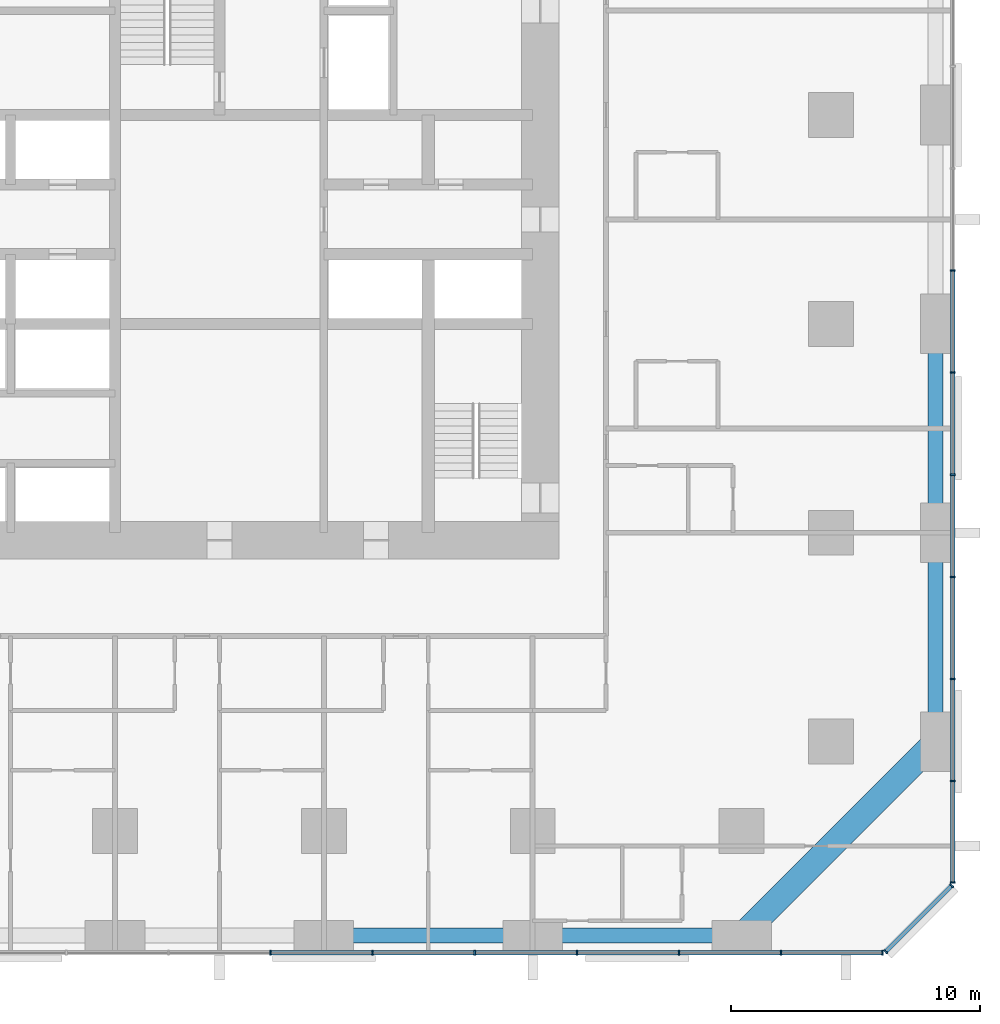
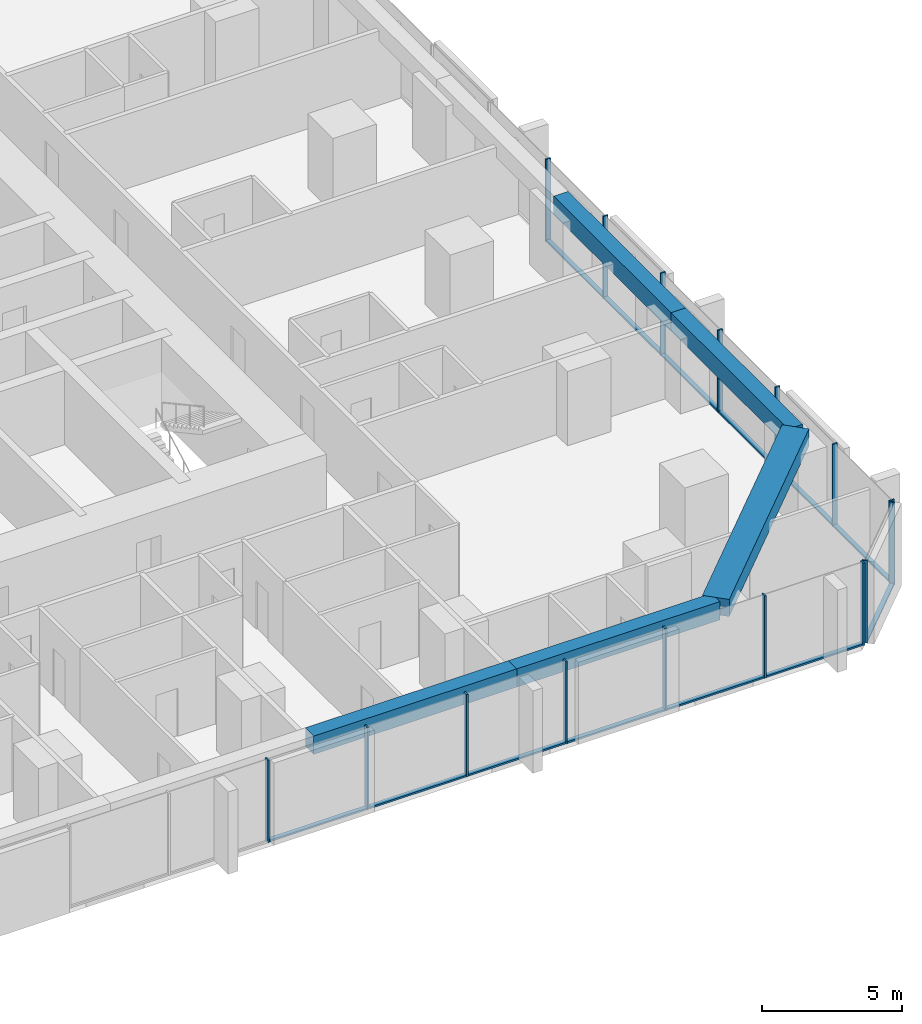
# One storey, part 4 of 17: 29 members, 5 beams, 3 elements without a shape of their own.
"""IFC4 building model written with IfcOpenShell, lengths in metres."""

from ifc_helpers import new_model, si_unit, direction, frame, origin, origin_2d, place, context, subcontext, project, spatial, rectangle, extrude, material, material_profile, profile_set, type_object, element, aggregate, save


model = new_model("IFC4")

# Units and contexts
model_context = context("Model", 3, precision=1e-05, world=origin(), true_north=direction((0.0, 1.0)))
body_context = subcontext(model_context, "Body", "Model", "MODEL_VIEW")
ifc_project = project(units=[si_unit("LENGTHUNIT", "METRE"), si_unit("AREAUNIT", "SQUARE_METRE"), si_unit("VOLUMEUNIT", "CUBIC_METRE"), si_unit("PLANEANGLEUNIT", "RADIAN"), si_unit("MASSUNIT", "GRAM", prefix="KILO")], contexts=[model_context])

# Site, building, storey
site_placement = place(None, origin())
site = spatial("IfcSite", under=ifc_project, at=site_placement, CompositionType="ELEMENT")
building_placement = place(site_placement, origin())
building = spatial("IfcBuilding", under=site, at=building_placement, Name="Dunama Terrace Hotel", CompositionType="ELEMENT")
storey_placement = place(building_placement, frame((0.0, 0.0, 52.199951171875)))
storey = spatial("IfcBuildingStorey", under=building, at=storey_placement, Name="L12", CompositionType="ELEMENT", Elevation=52.199951171875)

# Curtain wall, members
ifc_material_1 = material(Name="Aluminium curtain wall system", Category="aluminium")
curtain_wall_type = type_object("IfcCurtainWallType", Name="Unitised fritted glass wall CW-A", PredefinedType="NOTDEFINED", material=ifc_material_1)
curtain_wall_1_placement = place(storey_placement, origin())
curtain_wall_1 = element("IfcCurtainWall", 1, at=curtain_wall_1_placement, inside=storey, type_object=curtain_wall_type, Name="Unitised fritted glass wall CW-A L12", PredefinedType="NOTDEFINED")
ifc_material_2 = material(Name="Aluminium mullion", Category="aluminium")
ifc_material_profile_1 = material_profile(ifc_material_2, rectangle(XDim=0.06494140625, YDim=0.199951171875, at=origin_2d()), Name="CWA MULLION 65X200")
ifc_profile_set_1 = profile_set([ifc_material_profile_1], Name="Aluminium mullion")
member_type_1 = type_object("IfcMemberType", Name="CWA mullion 65x200", PredefinedType="MULLION", material=ifc_profile_set_1)
member_1_placement = place(storey_placement, frame((31.4541015625, -0.10009765625, 0.0), z_axis=(0.0, 0.0, 1.0), x_axis=(1.0, 0.0, 0.0)))
member_1 = element("IfcMember", 2, at=member_1_placement, type_object=member_type_1, Name="CWA mullion", PredefinedType="MULLION", context=body_context, shape_type="SweptSolid", body=[
    extrude(rectangle(XDim=0.06494140625, YDim=0.199951171875, at=origin_2d()), origin(), (0.0, 0.0, 1.0), 3.60009765625),
])
member_2_placement = place(storey_placement, frame((35.56201171875, -0.10009765625, 0.0), z_axis=(0.0, 0.0, 1.0), x_axis=(1.0, 0.0, 0.0)))
member_2 = element("IfcMember", 3, at=member_2_placement, type_object=member_type_1, Name="CWA mullion", PredefinedType="MULLION", context=body_context, shape_type="SweptSolid", body=[
    extrude(rectangle(XDim=0.06494140625, YDim=0.199951171875, at=origin_2d()), origin(), (0.0, 0.0, 1.0), 3.60009765625),
])
member_3_placement = place(storey_placement, frame((39.6689453125, -0.10009765625, 0.0), z_axis=(0.0, 0.0, 1.0), x_axis=(1.0, 0.0, 0.0)))
member_3 = element("IfcMember", 4, at=member_3_placement, type_object=member_type_1, Name="CWA mullion", PredefinedType="MULLION", context=body_context, shape_type="SweptSolid", body=[
    extrude(rectangle(XDim=0.06494140625, YDim=0.199951171875, at=origin_2d()), origin(), (0.0, 0.0, 1.0), 3.60009765625),
])
member_4_placement = place(storey_placement, frame((43.777099609375, -0.10009765625, 0.0), z_axis=(0.0, 0.0, 1.0), x_axis=(1.0, 0.0, 0.0)))
member_4 = element("IfcMember", 5, at=member_4_placement, type_object=member_type_1, Name="CWA mullion", PredefinedType="MULLION", context=body_context, shape_type="SweptSolid", body=[
    extrude(rectangle(XDim=0.06494140625, YDim=0.199951171875, at=origin_2d()), origin(), (0.0, 0.0, 1.0), 3.60009765625),
])
member_5_placement = place(storey_placement, frame((47.885009765625, -0.10009765625, 0.0), z_axis=(0.0, 0.0, 1.0), x_axis=(1.0, 0.0, 0.0)))
member_5 = element("IfcMember", 6, at=member_5_placement, type_object=member_type_1, Name="CWA mullion", PredefinedType="MULLION", context=body_context, shape_type="SweptSolid", body=[
    extrude(rectangle(XDim=0.06494140625, YDim=0.199951171875, at=origin_2d()), origin(), (0.0, 0.0, 1.0), 3.60009765625),
])
member_6_placement = place(storey_placement, frame((51.991943359375, -0.10009765625, 0.0), z_axis=(0.0, 0.0, 1.0), x_axis=(1.0, 0.0, 0.0)))
member_6 = element("IfcMember", 7, at=member_6_placement, type_object=member_type_1, Name="CWA mullion", PredefinedType="MULLION", context=body_context, shape_type="SweptSolid", body=[
    extrude(rectangle(XDim=0.06494140625, YDim=0.199951171875, at=origin_2d()), origin(), (0.0, 0.0, 1.0), 3.60009765625),
])
member_7_placement = place(storey_placement, frame((56.06689453125, -0.10009765625, 0.0), z_axis=(0.0, 0.0, 1.0), x_axis=(1.0, 0.0, 0.0)))
member_7 = element("IfcMember", 8, at=member_7_placement, type_object=member_type_1, Name="CWA mullion", PredefinedType="MULLION", context=body_context, shape_type="SweptSolid", body=[
    extrude(rectangle(XDim=0.06494140625, YDim=0.199951171875, at=origin_2d()), origin(), (0.0, 0.0, 1.0), 3.60009765625),
])

curtain_wall_2_placement = place(storey_placement, origin())
curtain_wall_2 = element("IfcCurtainWall", 9, at=curtain_wall_2_placement, inside=storey, type_object=curtain_wall_type, Name="Unitised fritted glass wall CW-A L12", PredefinedType="NOTDEFINED")
member_8_placement = place(storey_placement, frame((56.194091796875, -0.048095703125, 0.0), z_axis=(0.0, 0.0, 1.0), x_axis=(0.707106781187, 0.707106781187, 0.0)))
member_8 = element("IfcMember", 10, at=member_8_placement, type_object=member_type_1, Name="CWA mullion", PredefinedType="MULLION", context=body_context, shape_type="SweptSolid", body=[
    extrude(rectangle(XDim=0.06494140625, YDim=0.199951171875, at=origin_2d()), origin(), (0.0, 0.0, 1.0), 3.60009765625),
])
member_9_placement = place(storey_placement, frame((58.847900390625, 2.60595703125, 0.0), z_axis=(0.0, 0.0, 1.0), x_axis=(0.707106781187, 0.707106781187, 0.0)))
member_9 = element("IfcMember", 11, at=member_9_placement, type_object=member_type_1, Name="CWA mullion", PredefinedType="MULLION", context=body_context, shape_type="SweptSolid", body=[
    extrude(rectangle(XDim=0.06494140625, YDim=0.199951171875, at=origin_2d()), origin(), (0.0, 0.0, 1.0), 3.60009765625),
])

curtain_wall_3_placement = place(storey_placement, origin())
curtain_wall_3 = element("IfcCurtainWall", 12, at=curtain_wall_3_placement, inside=storey, type_object=curtain_wall_type, Name="Unitised fritted glass wall CW-A L12", PredefinedType="NOTDEFINED")
member_10_placement = place(storey_placement, frame((58.89990234375, 2.73291015625, 0.0), z_axis=(0.0, 0.0, 1.0), x_axis=(0.0, 1.0, 0.0)))
member_10 = element("IfcMember", 13, at=member_10_placement, type_object=member_type_1, Name="CWA mullion", PredefinedType="MULLION", context=body_context, shape_type="SweptSolid", body=[
    extrude(rectangle(XDim=0.06494140625, YDim=0.199951171875, at=origin_2d()), origin(), (0.0, 0.0, 1.0), 3.60009765625),
])
member_11_placement = place(storey_placement, frame((58.89990234375, 6.80810546875, 0.0), z_axis=(0.0, 0.0, 1.0), x_axis=(0.0, 1.0, 0.0)))
member_11 = element("IfcMember", 14, at=member_11_placement, type_object=member_type_1, Name="CWA mullion", PredefinedType="MULLION", context=body_context, shape_type="SweptSolid", body=[
    extrude(rectangle(XDim=0.06494140625, YDim=0.199951171875, at=origin_2d()), origin(), (0.0, 0.0, 1.0), 3.60009765625),
])
member_12_placement = place(storey_placement, frame((58.89990234375, 10.9150390625, 0.0), z_axis=(0.0, 0.0, 1.0), x_axis=(0.0, 1.0, 0.0)))
member_12 = element("IfcMember", 15, at=member_12_placement, type_object=member_type_1, Name="CWA mullion", PredefinedType="MULLION", context=body_context, shape_type="SweptSolid", body=[
    extrude(rectangle(XDim=0.06494140625, YDim=0.199951171875, at=origin_2d()), origin(), (0.0, 0.0, 1.0), 3.60009765625),
])
member_13_placement = place(storey_placement, frame((58.89990234375, 15.02294921875, 0.0), z_axis=(0.0, 0.0, 1.0), x_axis=(0.0, 1.0, 0.0)))
member_13 = element("IfcMember", 16, at=member_13_placement, type_object=member_type_1, Name="CWA mullion", PredefinedType="MULLION", context=body_context, shape_type="SweptSolid", body=[
    extrude(rectangle(XDim=0.06494140625, YDim=0.199951171875, at=origin_2d()), origin(), (0.0, 0.0, 1.0), 3.60009765625),
])
member_14_placement = place(storey_placement, frame((58.89990234375, 19.131103515625, 0.0), z_axis=(0.0, 0.0, 1.0), x_axis=(0.0, 1.0, 0.0)))
member_14 = element("IfcMember", 17, at=member_14_placement, type_object=member_type_1, Name="CWA mullion", PredefinedType="MULLION", context=body_context, shape_type="SweptSolid", body=[
    extrude(rectangle(XDim=0.06494140625, YDim=0.199951171875, at=origin_2d()), origin(), (0.0, 0.0, 1.0), 3.60009765625),
])
member_15_placement = place(storey_placement, frame((58.89990234375, 23.238037109375, 0.0), z_axis=(0.0, 0.0, 1.0), x_axis=(0.0, 1.0, 0.0)))
member_15 = element("IfcMember", 18, at=member_15_placement, type_object=member_type_1, Name="CWA mullion", PredefinedType="MULLION", context=body_context, shape_type="SweptSolid", body=[
    extrude(rectangle(XDim=0.06494140625, YDim=0.199951171875, at=origin_2d()), origin(), (0.0, 0.0, 1.0), 3.60009765625),
])
member_16_placement = place(storey_placement, frame((58.89990234375, 27.345947265625, 0.0), z_axis=(0.0, 0.0, 1.0), x_axis=(0.0, 1.0, 0.0)))
member_16 = element("IfcMember", 19, at=member_16_placement, type_object=member_type_1, Name="CWA mullion", PredefinedType="MULLION", context=body_context, shape_type="SweptSolid", body=[
    extrude(rectangle(XDim=0.06494140625, YDim=0.199951171875, at=origin_2d()), origin(), (0.0, 0.0, 1.0), 3.60009765625),
])

# Member
ifc_material_3 = material(Name="Aluminium transom", Category="aluminium")
ifc_material_profile_2 = material_profile(ifc_material_3, rectangle(XDim=0.179931640625, YDim=0.074951171875, at=origin_2d()), Name="CWA TRANSOM 180X75")
ifc_profile_set_2 = profile_set([ifc_material_profile_2], Name="Aluminium transom")
member_type_2 = type_object("IfcMemberType", Name="CWA transom 180x75", PredefinedType="USERDEFINED", material=ifc_profile_set_2)
member_17_placement = place(storey_placement, frame((31.486083984375, -0.10009765625, 0.03759765625), z_axis=(1.0, 0.0, 0.0), x_axis=(0.0, 1.0, 0.0)))
member_17 = element("IfcMember", 20, at=member_17_placement, type_object=member_type_2, Name="CWA transom", ObjectType="TRANSOM", PredefinedType="USERDEFINED", context=body_context, shape_type="SweptSolid", body=[
    extrude(rectangle(XDim=0.179931640625, YDim=0.074951171875, at=origin_2d()), origin(), (0.0, 0.0, 1.0), 4.04296875),
])

member_18_placement = place(storey_placement, frame((35.593994140625, -0.10009765625, 0.03759765625), z_axis=(1.0, 0.0, 0.0), x_axis=(0.0, 1.0, 0.0)))
member_18 = element("IfcMember", 21, at=member_18_placement, type_object=member_type_2, Name="CWA transom", ObjectType="TRANSOM", PredefinedType="USERDEFINED", context=body_context, shape_type="SweptSolid", body=[
    extrude(rectangle(XDim=0.179931640625, YDim=0.074951171875, at=origin_2d()), origin(), (0.0, 0.0, 1.0), 4.04296875),
])

member_19_placement = place(storey_placement, frame((39.701904296875, -0.10009765625, 0.03759765625), z_axis=(1.0, 0.0, 0.0), x_axis=(0.0, 1.0, 0.0)))
member_19 = element("IfcMember", 22, at=member_19_placement, type_object=member_type_2, Name="CWA transom", ObjectType="TRANSOM", PredefinedType="USERDEFINED", context=body_context, shape_type="SweptSolid", body=[
    extrude(rectangle(XDim=0.179931640625, YDim=0.074951171875, at=origin_2d()), origin(), (0.0, 0.0, 1.0), 4.0419921875),
])

member_20_placement = place(storey_placement, frame((43.80908203125, -0.10009765625, 0.03759765625), z_axis=(1.0, 0.0, 0.0), x_axis=(0.0, 1.0, 0.0)))
member_20 = element("IfcMember", 23, at=member_20_placement, type_object=member_type_2, Name="CWA transom", ObjectType="TRANSOM", PredefinedType="USERDEFINED", context=body_context, shape_type="SweptSolid", body=[
    extrude(rectangle(XDim=0.179931640625, YDim=0.074951171875, at=origin_2d()), origin(), (0.0, 0.0, 1.0), 4.04296875),
])

member_21_placement = place(storey_placement, frame((47.9169921875, -0.10009765625, 0.03759765625), z_axis=(1.0, 0.0, 0.0), x_axis=(0.0, 1.0, 0.0)))
member_21 = element("IfcMember", 24, at=member_21_placement, type_object=member_type_2, Name="CWA transom", ObjectType="TRANSOM", PredefinedType="USERDEFINED", context=body_context, shape_type="SweptSolid", body=[
    extrude(rectangle(XDim=0.179931640625, YDim=0.074951171875, at=origin_2d()), origin(), (0.0, 0.0, 1.0), 4.04296875),
])

member_22_placement = place(storey_placement, frame((52.02490234375, -0.10009765625, 0.03759765625), z_axis=(1.0, 0.0, 0.0), x_axis=(0.0, 1.0, 0.0)))
member_22 = element("IfcMember", 25, at=member_22_placement, type_object=member_type_2, Name="CWA transom", ObjectType="TRANSOM", PredefinedType="USERDEFINED", context=body_context, shape_type="SweptSolid", body=[
    extrude(rectangle(XDim=0.179931640625, YDim=0.074951171875, at=origin_2d()), origin(), (0.0, 0.0, 1.0), 4.010009765625),
])

aggregate(curtain_wall_1, [member_1, member_2, member_3, member_4, member_5, member_6, member_7, member_17, member_18, member_19, member_20, member_21, member_22])

member_23_placement = place(storey_placement, frame((56.217041015625, -0.02490234375, 0.03759765625), z_axis=(0.707106781187, 0.707106781187, 0.0), x_axis=(-0.707106781187, 0.707106781187, 0.0)))
member_23 = element("IfcMember", 26, at=member_23_placement, type_object=member_type_2, Name="CWA transom", ObjectType="TRANSOM", PredefinedType="USERDEFINED", context=body_context, shape_type="SweptSolid", body=[
    extrude(rectangle(XDim=0.179931640625, YDim=0.074951171875, at=origin_2d()), origin(), (0.0, 0.0, 1.0), 3.688232421875),
])

aggregate(curtain_wall_2, [member_8, member_9, member_23])

member_24_placement = place(storey_placement, frame((58.89990234375, 2.764892578125, 0.03759765625), z_axis=(0.0, 1.0, 0.0), x_axis=(-1.0, 0.0, 0.0)))
member_24 = element("IfcMember", 27, at=member_24_placement, type_object=member_type_2, Name="CWA transom", ObjectType="TRANSOM", PredefinedType="USERDEFINED", context=body_context, shape_type="SweptSolid", body=[
    extrude(rectangle(XDim=0.179931640625, YDim=0.074951171875, at=origin_2d()), origin(), (0.0, 0.0, 1.0), 4.010009765625),
])

member_25_placement = place(storey_placement, frame((58.89990234375, 6.840087890625, 0.03759765625), z_axis=(0.0, 1.0, 0.0), x_axis=(-1.0, 0.0, 0.0)))
member_25 = element("IfcMember", 28, at=member_25_placement, type_object=member_type_2, Name="CWA transom", ObjectType="TRANSOM", PredefinedType="USERDEFINED", context=body_context, shape_type="SweptSolid", body=[
    extrude(rectangle(XDim=0.179931640625, YDim=0.074951171875, at=origin_2d()), origin(), (0.0, 0.0, 1.0), 4.04296875),
])

member_26_placement = place(storey_placement, frame((58.89990234375, 10.947998046875, 0.03759765625), z_axis=(0.0, 1.0, 0.0), x_axis=(-1.0, 0.0, 0.0)))
member_26 = element("IfcMember", 29, at=member_26_placement, type_object=member_type_2, Name="CWA transom", ObjectType="TRANSOM", PredefinedType="USERDEFINED", context=body_context, shape_type="SweptSolid", body=[
    extrude(rectangle(XDim=0.179931640625, YDim=0.074951171875, at=origin_2d()), origin(), (0.0, 0.0, 1.0), 4.04296875),
])

member_27_placement = place(storey_placement, frame((58.89990234375, 15.055908203125, 0.03759765625), z_axis=(0.0, 1.0, 0.0), x_axis=(-1.0, 0.0, 0.0)))
member_27 = element("IfcMember", 30, at=member_27_placement, type_object=member_type_2, Name="CWA transom", ObjectType="TRANSOM", PredefinedType="USERDEFINED", context=body_context, shape_type="SweptSolid", body=[
    extrude(rectangle(XDim=0.179931640625, YDim=0.074951171875, at=origin_2d()), origin(), (0.0, 0.0, 1.0), 4.0419921875),
])

member_28_placement = place(storey_placement, frame((58.89990234375, 19.1630859375, 0.03759765625), z_axis=(0.0, 1.0, 0.0), x_axis=(-1.0, 0.0, 0.0)))
member_28 = element("IfcMember", 31, at=member_28_placement, type_object=member_type_2, Name="CWA transom", ObjectType="TRANSOM", PredefinedType="USERDEFINED", context=body_context, shape_type="SweptSolid", body=[
    extrude(rectangle(XDim=0.179931640625, YDim=0.074951171875, at=origin_2d()), origin(), (0.0, 0.0, 1.0), 4.04296875),
])

member_29_placement = place(storey_placement, frame((58.89990234375, 23.27099609375, 0.03759765625), z_axis=(0.0, 1.0, 0.0), x_axis=(-1.0, 0.0, 0.0)))
member_29 = element("IfcMember", 32, at=member_29_placement, type_object=member_type_2, Name="CWA transom", ObjectType="TRANSOM", PredefinedType="USERDEFINED", context=body_context, shape_type="SweptSolid", body=[
    extrude(rectangle(XDim=0.179931640625, YDim=0.074951171875, at=origin_2d()), origin(), (0.0, 0.0, 1.0), 4.04296875),
])

aggregate(curtain_wall_3, [member_10, member_11, member_12, member_13, member_14, member_15, member_16, member_24, member_25, member_26, member_27, member_28, member_29])

# Beams
ifc_material_4 = material(Name="Concrete C50/60", Category="concrete")
ifc_material_profile_3 = material_profile(ifc_material_4, rectangle(XDim=1.0, YDim=0.75, at=origin_2d()), Name="RC 1000x750")
ifc_profile_set_3 = profile_set([ifc_material_profile_3], Name="Concrete C50/60")
beam_type_1 = type_object("IfcBeamType", Name="Edge beam RC 1000x750", PredefinedType="SPANDREL", material=ifc_profile_set_3)
beam_1_placement = place(storey_placement, frame((50.39990234375, 0.60009765625, 3.22509765625), z_axis=(0.707117847453, 0.707095714747, 0.0), x_axis=(-0.707095714747, 0.707117847453, 0.0)))
element("IfcBeam", 33, at=beam_1_placement, inside=storey, type_object=beam_type_1, Name="Corner edge beam under L13", PredefinedType="SPANDREL", context=body_context, shape_type="SweptSolid", body=[
    extrude(rectangle(XDim=1.0, YDim=0.75, at=origin_2d()), origin(), (0.0, 0.0, 1.0), 11.03076171875),
])
ifc_material_5 = material(Name="Concrete C40/50", Category="concrete")
ifc_material_profile_4 = material_profile(ifc_material_5, rectangle(XDim=0.60009765625, YDim=0.800048828125, at=origin_2d()), Name="RC 600x800")
ifc_profile_set_4 = profile_set([ifc_material_profile_4], Name="Concrete C40/50")
beam_type_2 = type_object("IfcBeamType", Name="Edge beam RC 600x800", PredefinedType="SPANDREL", material=ifc_profile_set_4)
beam_2_placement = place(storey_placement, frame((58.199951171875, 8.39990234375, 3.199951171875), z_axis=(0.0, 1.0, 0.0), x_axis=(-1.0, 0.0, 0.0)))
element("IfcBeam", 34, at=beam_2_placement, inside=storey, type_object=beam_type_2, Name="Edge beam under L13", PredefinedType="SPANDREL", context=body_context, shape_type="SweptSolid", body=[
    extrude(rectangle(XDim=0.60009765625, YDim=0.800048828125, at=origin_2d()), origin(), (0.0, 0.0, 1.0), 8.400146484375),
])
for number, where, z_axis, x_axis, name in (
    (35, (58.199951171875, 16.800048828125, 3.199951171875), (0.0, 1.0, 0.0), (-1.0, 0.0, 0.0), "Edge beam under L13"),
    (36, (33.60009765625, 0.60009765625, 3.199951171875), (1.0, 0.0, 0.0), (0.0, 1.0, 0.0), "Edge beam under L13"),
    (37, (42.0, 0.60009765625, 3.199951171875), (1.0, 0.0, 0.0), (0.0, 1.0, 0.0), "Edge beam under L13"),
):
    element("IfcBeam", number, at=place(storey_placement, frame(where, z_axis=z_axis, x_axis=x_axis)), inside=storey, type_object=beam_type_2, Name=name, PredefinedType="SPANDREL", context=body_context, shape_type="SweptSolid", body=[
        extrude(rectangle(XDim=0.60009765625, YDim=0.800048828125, at=origin_2d()), origin(), (0.0, 0.0, 1.0), 8.39990234375),
    ])

save(model, "model.ifc")
